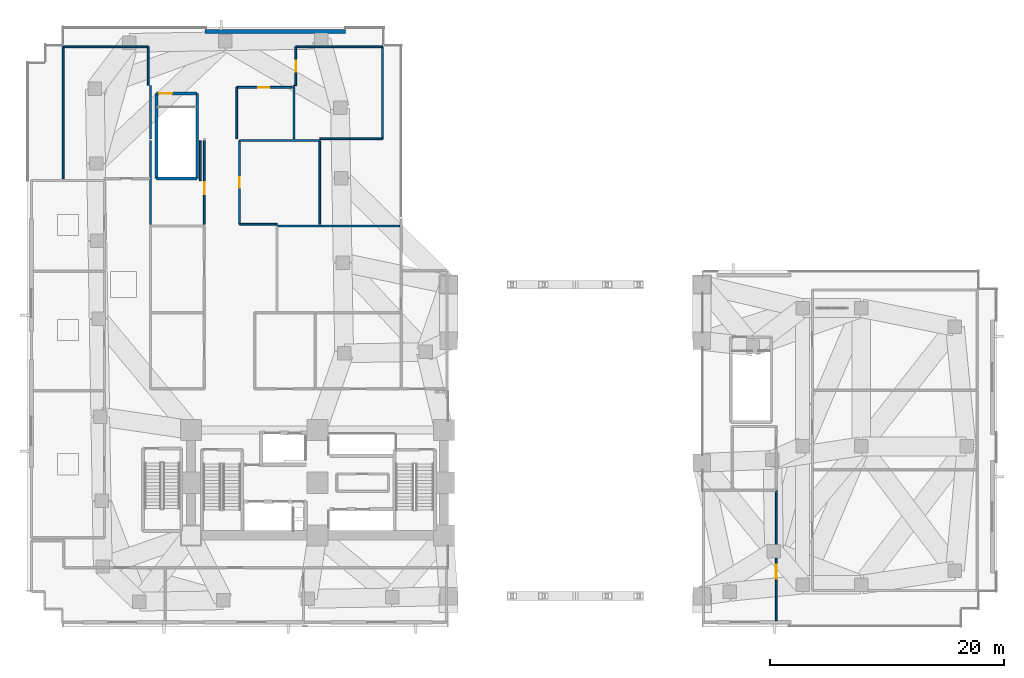
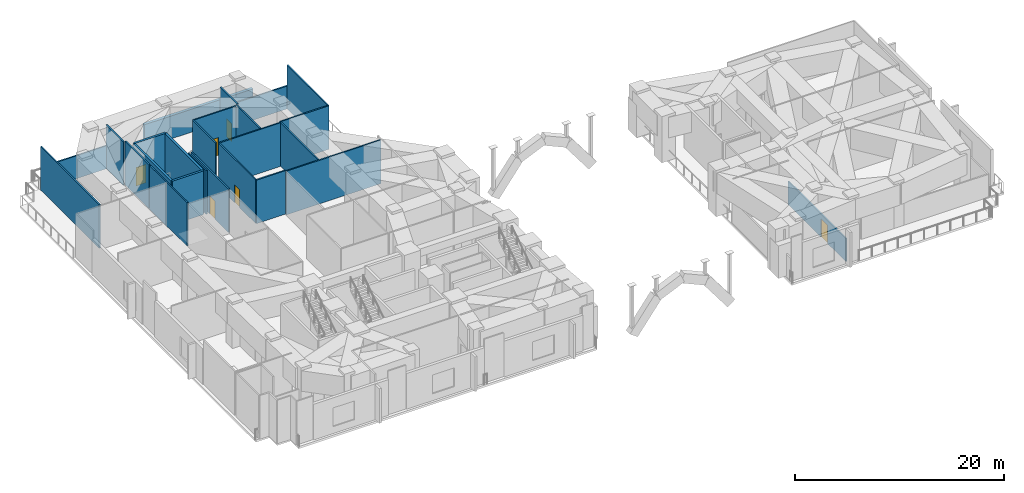
# One storey, part 9 of 15: 25 walls, 6 doors, 6 openings.
"""IFC4 building model written with IfcOpenShell, lengths in metres."""

import ifcopenshell
import ifcopenshell.guid

model = None  # the IFC model being written
_history = None  # IfcOwnerHistory: only IFC2X3 demands one
_inside = {}  # id of a spatial element -> (the spatial element, [elements in it])
_under = {}  # id of a project, library or spatial element -> (it, [spatial elements below it])
_declared = {}  # id of a project -> (the project, [libraries it declares])
_typed = {}  # id of a type object -> (the type object, [elements of that type])
_made_of = {}  # id of a material, layer set ... -> (it, [elements and type objects made of it])


def new_model(schema):
    """Start an empty IFC model of exactly this schema.

    Asked for "IFC4X3", IfcOpenShell would pick the latest addendum, in which some entities
    have other attributes; the version numbers below select the first issue.
    IFC2X3 requires an IfcOwnerHistory on every rooted entity: one is made here for all.
    """
    global model, _history
    if schema == "IFC4X3":
        model = ifcopenshell.file(schema_version=(4, 3, 0, 0))
    else:
        model = ifcopenshell.file(schema=schema)
    _inside.clear()
    _under.clear()
    _declared.clear()
    _typed.clear()
    _made_of.clear()
    _history = None
    if model.schema == "IFC2X3":
        org = make("IfcOrganization", Name="unknown")
        user = make(
            "IfcPersonAndOrganization",
            ThePerson=make("IfcPerson", FamilyName="unknown"),
            TheOrganization=org,
        )
        app = make(
            "IfcApplication",
            ApplicationDeveloper=org,
            Version="unknown",
            ApplicationFullName="unknown",
            ApplicationIdentifier="unknown",
        )
        _history = make(
            "IfcOwnerHistory",
            OwningUser=user,
            OwningApplication=app,
            ChangeAction="ADDED",
            CreationDate=0,
        )
    return model


def make(cls, **values):
    """One entity of the class cls with the attributes given. An attribute that is None is left unset."""
    return model.create_entity(
        cls, **{name: value for name, value in values.items() if value is not None}
    )


def rooted(cls, **values):
    """An entity with a GlobalId (a new one), such as an element, a storey or a relation."""
    return make(cls, GlobalId=ifcopenshell.guid.new(), OwnerHistory=_history, **values)


def si_unit(unit_type, name, prefix=None):
    """IfcSIUnit, for example si_unit("LENGTHUNIT", "METRE", prefix="MILLI")."""
    return make("IfcSIUnit", UnitType=unit_type, Prefix=prefix, Name=name)


def assignment(units):
    """IfcUnitAssignment: the units of a project."""
    return None if units is None else make("IfcUnitAssignment", Units=units)


def point(xyz):
    """IfcCartesianPoint."""
    return None if xyz is None else make("IfcCartesianPoint", Coordinates=xyz)


def direction(xyz):
    """IfcDirection."""
    return None if xyz is None else make("IfcDirection", DirectionRatios=xyz)


def frame(location, z_axis=None, x_axis=None):
    """IfcAxis2Placement3D, a coordinate frame: its origin and axes. An axis left out is left unset."""
    return make(
        "IfcAxis2Placement3D",
        Location=point(location),
        Axis=direction(z_axis),
        RefDirection=direction(x_axis),
    )


def frame_2d(location, x_axis=None):
    """IfcAxis2Placement2D, a coordinate frame in the plane: its origin and x axis."""
    return make(
        "IfcAxis2Placement2D", Location=point(location), RefDirection=direction(x_axis)
    )


def origin():
    """The frame at (0, 0, 0) with its axes left unset."""
    return frame((0.0, 0.0, 0.0))


def place(relative_to, where):
    """IfcLocalPlacement: puts the frame where relative to a parent placement (None: the world)."""
    return make(
        "IfcLocalPlacement", PlacementRelTo=relative_to, RelativePlacement=where
    )


def context(
    kind, dimensions, precision=None, world=None, true_north=None, identifier=None
):
    """IfcGeometricRepresentationContext, for example the 3D "Model" context."""
    return make(
        "IfcGeometricRepresentationContext",
        ContextIdentifier=identifier,
        ContextType=kind,
        CoordinateSpaceDimension=dimensions,
        Precision=precision,
        WorldCoordinateSystem=world,
        TrueNorth=true_north,
    )


def subcontext(parent, identifier, kind, view, scale=None):
    """IfcGeometricRepresentationSubContext, for example "Body" below "Model"."""
    return make(
        "IfcGeometricRepresentationSubContext",
        ContextIdentifier=identifier,
        ContextType=kind,
        ParentContext=parent,
        TargetScale=scale,
        TargetView=view,
    )


def project(units=None, contexts=None):
    """IfcProject with its units and contexts."""
    return rooted(
        "IfcProject",
        Name="project",
        RepresentationContexts=contexts,
        UnitsInContext=assignment(units),
    )


def spatial(cls, under=None, at=None, **own):
    """A site, building, storey or space (cls), placed at a placement, below another one or the project."""
    s = rooted(cls, ObjectPlacement=at, **own)
    if under is not None:
        _under.setdefault(under.id(), (under, []))[1].append(s)
    return s


def profile(cls, at=None, kind="AREA", **sizes):
    """A parametric profile (cls). Its sizes go by their IFC names, for example OverallWidth=200.0."""
    return make(cls, ProfileType=kind, Position=at, **sizes)


def rectangle(**sizes):
    """IfcRectangleProfileDef."""
    return profile("IfcRectangleProfileDef", **sizes)


def extrude(swept, where, along, depth):
    """IfcExtrudedAreaSolid: the profile swept, set in the frame where, extruded along a direction by depth."""
    return make(
        "IfcExtrudedAreaSolid",
        SweptArea=swept,
        Position=where,
        ExtrudedDirection=direction(along),
        Depth=depth,
    )


def shape(context_of_items, identifier, shape_type, items):
    """IfcShapeRepresentation: the items that make up one representation, for example the "Body"."""
    return make(
        "IfcShapeRepresentation",
        ContextOfItems=context_of_items,
        RepresentationIdentifier=identifier,
        RepresentationType=shape_type,
        Items=items,
    )


def material(Name=None, Category=None):
    """IfcMaterial."""
    return make("IfcMaterial", Name=Name, Category=Category)


def layer(
    of_material, thickness, ventilated=None, Name=None, Category=None, Priority=None
):
    """IfcMaterialLayer: one layer of a wall or slab, of a material (None: an air gap)."""
    return make(
        "IfcMaterialLayer",
        Material=of_material,
        LayerThickness=thickness,
        IsVentilated=ventilated,
        Name=Name,
        Category=Category,
        Priority=Priority,
    )


def layer_set(layers, Name=None):
    """IfcMaterialLayerSet."""
    return make("IfcMaterialLayerSet", MaterialLayers=layers, LayerSetName=Name)


def made_of(thing, what):
    """Note that an element or type object is made of a material, layer set ...; save() writes the relation."""
    if what is not None:
        _made_of.setdefault(what.id(), (what, []))[1].append(thing)
    return thing


def type_object(cls, material=None, **own):
    """A type object (cls), such as IfcWallType, which elements share."""
    return made_of(rooted(cls, **own), material)


def element(
    cls,
    number,
    at=None,
    inside=None,
    cuts=None,
    type_object=None,
    material=None,
    context=None,
    identifier="Body",
    shape_type=None,
    held_by="IfcProductDefinitionShape",
    body=None,
    shapes=None,
    **own,
):
    """One element of the class cls, such as IfcWall. Its Tag is "e" and its number.

    at: its placement. inside: the storey or other place that contains it. cuts: it is an
    opening in that element (IfcRelVoidsElement). A single representation is given by context,
    identifier, shape_type and body (its items); several are given by shapes. held_by: the class
    of the entity that holds the representations. save() writes the other relations.
    """
    e = rooted(cls, Tag="e%d" % number, ObjectPlacement=at, **own)
    if body is not None:
        shapes = [shape(context, identifier, shape_type, body)]
    if shapes is not None:
        e.Representation = make(held_by, Representations=shapes)
    if inside is not None:
        _inside.setdefault(inside.id(), (inside, []))[1].append(e)
    if cuts is not None:
        rooted(
            "IfcRelVoidsElement", RelatingBuildingElement=cuts, RelatedOpeningElement=e
        )
    if type_object is not None:
        _typed.setdefault(type_object.id(), (type_object, []))[1].append(e)
    return made_of(e, material)


def fill(opening, filler):
    """IfcRelFillsElement: the door or window that sits in an opening."""
    return rooted(
        "IfcRelFillsElement",
        RelatingOpeningElement=opening,
        RelatedBuildingElement=filler,
    )


def aggregate(whole, parts):
    """IfcRelAggregates: a whole, such as a stair, and the parts it consists of."""
    return rooted("IfcRelAggregates", RelatingObject=whole, RelatedObjects=parts)


def save(model, path):
    """Write the relations noted so far, then the file.

    IfcRelAggregates (storeys below a building ...), IfcRelContainedInSpatialStructure (elements
    in a storey), IfcRelDefinesByType, IfcRelAssociatesMaterial and IfcRelDeclares: one each for
    every whole, place, type object, material and project.
    """
    for whole, parts in _under.values():
        aggregate(whole, parts)
    for where, things in _inside.values():
        rooted(
            "IfcRelContainedInSpatialStructure",
            RelatedElements=things,
            RelatingStructure=where,
        )
    for kind, things in _typed.values():
        rooted("IfcRelDefinesByType", RelatedObjects=things, RelatingType=kind)
    for what, things in _made_of.values():
        rooted("IfcRelAssociatesMaterial", RelatedObjects=things, RelatingMaterial=what)
    for by, libraries in _declared.values():
        rooted("IfcRelDeclares", RelatingContext=by, RelatedDefinitions=libraries)
    model.write(path)


model = new_model("IFC4")

# Units and contexts
model_context = context("Model", 3, precision=1e-05, world=origin(), true_north=direction((0.0, 1.0)))
body_context = subcontext(model_context, "Body", "Model", "MODEL_VIEW")
ifc_project = project(units=[si_unit("LENGTHUNIT", "METRE"), si_unit("AREAUNIT", "SQUARE_METRE"), si_unit("VOLUMEUNIT", "CUBIC_METRE"), si_unit("PLANEANGLEUNIT", "RADIAN"), si_unit("MASSUNIT", "GRAM", prefix="KILO")], contexts=[model_context])

# Site, building, storey
site_placement = place(None, origin())
site = spatial("IfcSite", under=ifc_project, at=site_placement, CompositionType="ELEMENT")
building_placement = place(site_placement, origin())
building = spatial("IfcBuilding", under=site, at=building_placement, Name="Gaonmaruhae Medical Tower", CompositionType="ELEMENT")
storey_placement = place(building_placement, frame((0.0, 0.0, 21.60009765625)))
storey = spatial("IfcBuildingStorey", under=building, at=storey_placement, Name="L04", CompositionType="ELEMENT", Elevation=21.60009765625)

# Wall
ifc_material_1 = material(Name="Precast concrete C45/55", Category="concrete")
ifc_layer_1 = layer(ifc_material_1, 0.320068359375)
ifc_layer_set_1 = layer_set([ifc_layer_1], Name="Precast concrete C45/55")
wall_type_1 = type_object("IfcWallType", Name="EW-320 Lower Precast Masonry-Frame Facade Wall", PredefinedType="SOLIDWALL", material=ifc_layer_set_1)
wall_1_placement = place(storey_placement, frame((15.199951171875, 50.800048828125, 0.0), z_axis=(0.0, 0.0, 1.0), x_axis=(1.0, 0.0, 0.0)))
element("IfcWall", 1, at=wall_1_placement, inside=storey, type_object=wall_type_1, Name="L04 Precast Facade Wall PB-N2", PredefinedType="SOLIDWALL", context=body_context, shape_type="SweptSolid", body=[
    extrude(rectangle(XDim=12.0, YDim=0.320068359375, at=frame_2d((6.0, 0.0))), origin(), (0.0, 0.0, 1.0), 2.684814453125),
])

# Wall, opening, door
ifc_material_2 = material(Name="Gypsum board partition", Category="gypsum")
ifc_layer_2 = layer(ifc_material_2, 0.14990234375)
ifc_layer_set_2 = layer_set([ifc_layer_2], Name="Gypsum board partition")
wall_type_2 = type_object("IfcWallType", Name="PW-150 Rated Clinical Corridor Partition", PredefinedType="PARTITIONING", material=ifc_layer_set_2)
wall_2_placement = place(storey_placement, frame((63.949951171875, 11.64990234375, 0.0), z_axis=(0.0, 0.0, 1.0), x_axis=(0.0, -1.0, 0.0)))
wall_2 = element("IfcWall", 2, at=wall_2_placement, inside=storey, type_object=wall_type_2, Name="L04 Interior Partition L04-EA4-31", PredefinedType="PARTITIONING", context=body_context, shape_type="SweptSolid", body=[
    extrude(rectangle(XDim=11.114990234375, YDim=0.14990234375, at=frame_2d((5.5576171875, 0.0))), origin(), (0.0, 0.0, 1.0), 2.684814453125),
])
opening_1_placement = place(wall_2_placement, frame((6.36083984375, 0.0, 0.0)))
opening_1 = element("IfcOpeningElement", 3, at=opening_1_placement, cuts=wall_2, Name="Opening CD-02", PredefinedType="OPENING", context=body_context, shape_type="SweptSolid", body=[
    extrude(rectangle(XDim=1.199951171875, YDim=2.14990234375, at=frame_2d((0.60009765625, 1.074951171875))), frame((0.0, 0.0849609375, 0.0), z_axis=(0.0, -1.0, 0.0), x_axis=(1.0, 0.0, 0.0)), (0.0, 0.0, 1.0), 0.169921875),
])
ifc_material_3 = material(Name="Antimicrobial laminate timber fire door", Category="wood")
door_type_1 = type_object("IfcDoorType", Name="CD-02 Clinical Treatment & Procedure Door 1200x2150", OperationType="NOTDEFINED", PredefinedType="DOOR", material=ifc_material_3)
door_1_placement = place(opening_1_placement, origin())
door_1 = element("IfcDoor", 4, at=door_1_placement, inside=storey, type_object=door_type_1, Name="L04 L04 Diagnostic Specimen Processing Suite Door", OperationType="SINGLE_SWING_RIGHT", OverallHeight=2.14990234375, OverallWidth=1.199951171875, PredefinedType="DOOR", context=body_context, shape_type="SweptSolid", body=[
    extrude(rectangle(XDim=1.199951171875, YDim=2.14990234375, at=frame_2d((0.60009765625, 1.074951171875))), frame((0.0, 0.02490234375, 0.0), z_axis=(0.0, -1.0, 0.0), x_axis=(1.0, 0.0, 0.0)), (0.0, 0.0, 1.0), 0.050048828125),
])
fill(opening_1, door_1)

# Walls
wall_3_placement = place(storey_placement, frame((21.35009765625, 34.199951171875, 0.0), z_axis=(0.0, 0.0, 1.0), x_axis=(1.0, 0.0, 0.0)))
element("IfcWall", 5, at=wall_3_placement, inside=storey, type_object=wall_type_2, Name="L04 Interior Partition L04-S8-67", PredefinedType="PARTITIONING", context=body_context, shape_type="SweptSolid", body=[
    extrude(rectangle(XDim=10.449951171875, YDim=0.14990234375, at=frame_2d((5.22509765625, 0.0))), origin(), (0.0, 0.0, 1.0), 5.099853515625),
])
wall_4_placement = place(storey_placement, frame((10.550048828125, 34.35009765625, 0.0), z_axis=(0.0, 0.0, 1.0), x_axis=(0.0, 1.0, 0.0)))
element("IfcWall", 6, at=wall_4_placement, inside=storey, type_object=wall_type_2, Name="L04 Interior Partition L04-S9-69", PredefinedType="PARTITIONING", context=body_context, shape_type="SweptSolid", body=[
    extrude(rectangle(XDim=7.14990234375, YDim=0.14990234375, at=frame_2d((3.574951171875, 0.0))), origin(), (0.0, 0.0, 1.0), 5.099853515625),
])
wall_5_placement = place(storey_placement, frame((14.800048828125, 38.050048828125, 0.0), z_axis=(0.0, 0.0, 1.0), x_axis=(0.0, 1.0, 0.0)))
element("IfcWall", 7, at=wall_5_placement, inside=storey, type_object=wall_type_2, Name="L04 Interior Partition L04-S9-70", PredefinedType="PARTITIONING", context=body_context, shape_type="SweptSolid", body=[
    extrude(rectangle(XDim=3.449951171875, YDim=0.14990234375, at=frame_2d((1.72509765625, 0.0))), origin(), (0.0, 0.0, 1.0), 5.099853515625),
])

# Wall, opening, door
wall_6_placement = place(storey_placement, frame((15.139892578125, 41.5, 0.0), z_axis=(0.0, 0.0, 1.0), x_axis=(0.0, -1.0, 0.0)))
wall_6 = element("IfcWall", 8, at=wall_6_placement, inside=storey, type_object=wall_type_2, Name="L04 Interior Partition L04-S9-71", PredefinedType="PARTITIONING", context=body_context, shape_type="SweptSolid", body=[
    extrude(rectangle(XDim=7.14990234375, YDim=0.14990234375, at=frame_2d((3.574951171875, 0.0))), origin(), (0.0, 0.0, 1.0), 5.099853515625),
])
opening_2_placement = place(wall_6_placement, frame((3.578125, 0.0, 0.0)))
opening_2 = element("IfcOpeningElement", 9, at=opening_2_placement, cuts=wall_6, Name="Opening CD-01", PredefinedType="OPENING", context=body_context, shape_type="SweptSolid", body=[
    extrude(rectangle(XDim=1.0, YDim=2.1201171875, at=frame_2d((0.5, 1.06005859375))), frame((0.0, 0.0849609375, 0.0), z_axis=(0.0, -1.0, 0.0), x_axis=(1.0, 0.0, 0.0)), (0.0, 0.0, 1.0), 0.169921875),
])
door_type_2 = type_object("IfcDoorType", Name="CD-01 Consultation & Physician Office Door 1000x2120", OperationType="NOTDEFINED", PredefinedType="DOOR", material=ifc_material_3)
door_2_placement = place(opening_2_placement, origin())
door_2 = element("IfcDoor", 10, at=door_2_placement, inside=storey, type_object=door_type_2, Name="L04 Anaesthesia Consultation Office Door", OperationType="SINGLE_SWING_LEFT", OverallHeight=2.1201171875, OverallWidth=1.0, PredefinedType="DOOR", context=body_context, shape_type="SweptSolid", body=[
    extrude(rectangle(XDim=1.0, YDim=2.1201171875, at=frame_2d((0.5, 1.06005859375))), frame((0.0, 0.02490234375, 0.0), z_axis=(0.0, -1.0, 0.0), x_axis=(1.0, 0.0, 0.0)), (0.0, 0.0, 1.0), 0.050048828125),
])
fill(opening_2, door_2)

# Walls
wall_7_placement = place(storey_placement, frame((18.14990234375, 41.5, 0.0), z_axis=(0.0, 0.0, 1.0), x_axis=(1.0, 0.0, 0.0)))
element("IfcWall", 11, at=wall_7_placement, inside=storey, type_object=wall_type_2, Name="L04 Interior Partition L04-S10-72", PredefinedType="PARTITIONING", context=body_context, shape_type="SweptSolid", body=[
    extrude(rectangle(XDim=6.85009765625, YDim=0.14990234375, at=frame_2d((3.425048828125, 0.0))), origin(), (0.0, 0.0, 1.0), 5.099853515625),
])
wall_8_placement = place(storey_placement, frame((25.0, 41.5, 0.0), z_axis=(0.0, 0.0, 1.0), x_axis=(0.0, -1.0, 0.0)))
element("IfcWall", 12, at=wall_8_placement, inside=storey, type_object=wall_type_2, Name="L04 Interior Partition L04-S10-73", PredefinedType="PARTITIONING", context=body_context, shape_type="SweptSolid", body=[
    extrude(rectangle(XDim=7.14990234375, YDim=0.14990234375, at=frame_2d((3.574951171875, 0.0))), origin(), (0.0, 0.0, 1.0), 5.099853515625),
])
wall_9_placement = place(storey_placement, frame((21.35009765625, 34.35009765625, 0.0), z_axis=(0.0, 0.0, 1.0), x_axis=(-1.0, 0.0, 0.0)))
element("IfcWall", 13, at=wall_9_placement, inside=storey, type_object=wall_type_2, Name="L04 Interior Partition L04-S10-74", PredefinedType="PARTITIONING", context=body_context, shape_type="SweptSolid", body=[
    extrude(rectangle(XDim=3.2001953125, YDim=0.14990234375, at=frame_2d((1.60009765625, 0.0))), origin(), (0.0, 0.0, 1.0), 5.099853515625),
])

# Wall, opening, door
wall_10_placement = place(storey_placement, frame((18.14990234375, 34.35009765625, 0.0), z_axis=(0.0, 0.0, 1.0), x_axis=(0.0, 1.0, 0.0)))
wall_10 = element("IfcWall", 14, at=wall_10_placement, inside=storey, type_object=wall_type_2, Name="L04 Interior Partition L04-S10-75", PredefinedType="PARTITIONING", context=body_context, shape_type="SweptSolid", body=[
    extrude(rectangle(XDim=7.14990234375, YDim=0.14990234375, at=frame_2d((3.574951171875, 0.0))), origin(), (0.0, 0.0, 1.0), 5.099853515625),
])
opening_3_placement = place(wall_10_placement, frame((3.114990234375, 0.0, 0.0)))
opening_3 = element("IfcOpeningElement", 15, at=opening_3_placement, cuts=wall_10, Name="Opening UD-01", PredefinedType="OPENING", context=body_context, shape_type="SweptSolid", body=[
    extrude(rectangle(XDim=0.919921875, YDim=2.10009765625, at=frame_2d((0.4599609375, 1.050048828125))), frame((0.0, 0.0849609375, 0.0), z_axis=(0.0, -1.0, 0.0), x_axis=(1.0, 0.0, 0.0)), (0.0, 0.0, 1.0), 0.169921875),
])
ifc_material_4 = material(Name="Powder-coated steel utility door", Category="steel")
door_type_3 = type_object("IfcDoorType", Name="UD-01 Toilet, Utility & Housekeeping Door 920x2100", OperationType="NOTDEFINED", PredefinedType="DOOR", material=ifc_material_4)
door_3_placement = place(opening_3_placement, origin())
door_3 = element("IfcDoor", 16, at=door_3_placement, inside=storey, type_object=door_type_3, Name="L04 Surgical Staff Changing and Scrub Room Door", OperationType="SINGLE_SWING_RIGHT", OverallHeight=2.10009765625, OverallWidth=0.919921875, PredefinedType="DOOR", context=body_context, shape_type="SweptSolid", body=[
    extrude(rectangle(XDim=0.919921875, YDim=2.10009765625, at=frame_2d((0.4599609375, 1.050048828125))), frame((0.0, 0.02490234375, 0.0), z_axis=(0.0, -1.0, 0.0), x_axis=(1.0, 0.0, 0.0)), (0.0, 0.0, 1.0), 0.050048828125),
])
fill(opening_3, door_3)

# Walls
for number, where, z_axis, x_axis, name in (
    (17, (10.550048828125, 41.64990234375, 0.0), (0.0, 0.0, 1.0), (0.0, 1.0, 0.0), "L04 Interior Partition L04-WC-79"),
    (18, (22.800048828125, 46.199951171875, 0.0), (0.0, 0.0, 1.0), (0.0, -1.0, 0.0), "L04 Interior Partition L04-AWC-80"),
):
    element("IfcWall", number, at=place(storey_placement, frame(where, z_axis=z_axis, x_axis=x_axis)), inside=storey, type_object=wall_type_2, Name=name, PredefinedType="PARTITIONING", context=body_context, shape_type="SweptSolid", body=[
        extrude(rectangle(XDim=4.550048828125, YDim=0.14990234375, at=frame_2d((2.27490234375, 0.0))), origin(), (0.0, 0.0, 1.0), 5.099853515625),
    ])
wall_11_placement = place(storey_placement, frame((17.909912109375, 41.64990234375, 0.0), z_axis=(0.0, 0.0, 1.0), x_axis=(0.0, 1.0, 0.0)))
element("IfcWall", 19, at=wall_11_placement, inside=storey, type_object=wall_type_2, Name="L04 Interior Partition L04-AWC-81", PredefinedType="PARTITIONING", context=body_context, shape_type="SweptSolid", body=[
    extrude(rectangle(XDim=4.39013671875, YDim=0.14990234375, at=frame_2d((2.195068359375, 0.0))), origin(), (0.0, 0.0, 1.0), 5.099853515625),
])

# Wall, opening, door
wall_12_placement = place(storey_placement, frame((17.909912109375, 46.0400390625, 0.0), z_axis=(0.0, 0.0, 1.0), x_axis=(1.0, 0.0, 0.0)))
wall_12 = element("IfcWall", 20, at=wall_12_placement, inside=storey, type_object=wall_type_2, Name="L04 Interior Partition L04-AWC-82", PredefinedType="PARTITIONING", context=body_context, shape_type="SweptSolid", body=[
    extrude(rectangle(XDim=4.72998046875, YDim=0.14990234375, at=frame_2d((2.364990234375, 0.0))), origin(), (0.0, 0.0, 1.0), 5.099853515625),
])
opening_4_placement = place(wall_12_placement, frame((1.8349609375, 0.0, 0.0)))
opening_4 = element("IfcOpeningElement", 21, at=opening_4_placement, cuts=wall_12, Name="Opening UD-01", PredefinedType="OPENING", context=body_context, shape_type="SweptSolid", body=[
    extrude(rectangle(XDim=0.919921875, YDim=2.10009765625, at=frame_2d((0.4599609375, 1.050048828125))), frame((0.0, 0.0849609375, 0.0), z_axis=(0.0, -1.0, 0.0), x_axis=(1.0, 0.0, 0.0)), (0.0, 0.0, 1.0), 0.169921875),
])
door_4_placement = place(opening_4_placement, origin())
door_4 = element("IfcDoor", 22, at=door_4_placement, inside=storey, type_object=door_type_3, Name="L04 L04 Accessible Staff Toilet Door", OperationType="SINGLE_SWING_LEFT", OverallHeight=2.10009765625, OverallWidth=0.919921875, PredefinedType="DOOR", context=body_context, shape_type="SweptSolid", body=[
    extrude(rectangle(XDim=0.919921875, YDim=2.10009765625, at=frame_2d((0.4599609375, 1.050048828125))), frame((0.0, 0.02490234375, 0.0), z_axis=(0.0, -1.0, 0.0), x_axis=(1.0, 0.0, 0.0)), (0.0, 0.0, 1.0), 0.050048828125),
])
fill(opening_4, door_4)

# Walls
wall_13_placement = place(storey_placement, frame((22.949951171875, 49.5, 0.0), z_axis=(0.0, 0.0, 1.0), x_axis=(1.0, 0.0, 0.0)))
element("IfcWall", 23, at=wall_13_placement, inside=storey, type_object=wall_type_2, Name="L04 Interior Partition L04-HSK-83", PredefinedType="PARTITIONING", context=body_context, shape_type="SweptSolid", body=[
    extrude(rectangle(XDim=7.400146484375, YDim=0.14990234375, at=frame_2d((3.7001953125, 0.0))), origin(), (0.0, 0.0, 1.0), 2.684814453125),
])
wall_14_placement = place(storey_placement, frame((30.35009765625, 49.5, 0.0), z_axis=(0.0, 0.0, 1.0), x_axis=(0.0, -1.0, 0.0)))
element("IfcWall", 24, at=wall_14_placement, inside=storey, type_object=wall_type_2, Name="L04 Interior Partition L04-HSK-84", PredefinedType="PARTITIONING", context=body_context, shape_type="SweptSolid", body=[
    extrude(rectangle(XDim=7.85009765625, YDim=0.14990234375, at=frame_2d((3.925048828125, 0.0))), origin(), (0.0, 0.0, 1.0), 5.099853515625),
])
wall_15_placement = place(storey_placement, frame((30.35009765625, 41.64990234375, 0.0), z_axis=(0.0, 0.0, 1.0), x_axis=(-1.0, 0.0, 0.0)))
element("IfcWall", 25, at=wall_15_placement, inside=storey, type_object=wall_type_2, Name="L04 Interior Partition L04-HSK-85", PredefinedType="PARTITIONING", context=body_context, shape_type="SweptSolid", body=[
    extrude(rectangle(XDim=5.35009765625, YDim=0.14990234375, at=frame_2d((2.675048828125, 0.0))), origin(), (0.0, 0.0, 1.0), 5.099853515625),
])

# Wall, opening, door
wall_16_placement = place(storey_placement, frame((22.949951171875, 46.199951171875, 0.0), z_axis=(0.0, 0.0, 1.0), x_axis=(0.0, 1.0, 0.0)))
wall_16 = element("IfcWall", 26, at=wall_16_placement, inside=storey, type_object=wall_type_2, Name="L04 Interior Partition L04-HSK-86", PredefinedType="PARTITIONING", context=body_context, shape_type="SweptSolid", body=[
    extrude(rectangle(XDim=3.300048828125, YDim=0.14990234375, at=frame_2d((1.64990234375, 0.0))), origin(), (0.0, 0.0, 1.0), 5.099853515625),
])
opening_5_placement = place(wall_16_placement, frame((1.18994140625, 0.0, 0.0)))
opening_5 = element("IfcOpeningElement", 27, at=opening_5_placement, cuts=wall_16, Name="Opening UD-01", PredefinedType="OPENING", context=body_context, shape_type="SweptSolid", body=[
    extrude(rectangle(XDim=0.919921875, YDim=2.10009765625, at=frame_2d((0.4599609375, 1.050048828125))), frame((0.0, 0.0849609375, 0.0), z_axis=(0.0, -1.0, 0.0), x_axis=(1.0, 0.0, 0.0)), (0.0, 0.0, 1.0), 0.169921875),
])
door_5_placement = place(opening_5_placement, origin())
door_5 = element("IfcDoor", 28, at=door_5_placement, inside=storey, type_object=door_type_3, Name="L04 L04 Surgical Housekeeping Store Door", OperationType="SINGLE_SWING_RIGHT", OverallHeight=2.10009765625, OverallWidth=0.919921875, PredefinedType="DOOR", context=body_context, shape_type="SweptSolid", body=[
    extrude(rectangle(XDim=0.919921875, YDim=2.10009765625, at=frame_2d((0.4599609375, 1.050048828125))), frame((0.0, 0.02490234375, 0.0), z_axis=(0.0, -1.0, 0.0), x_axis=(1.0, 0.0, 0.0)), (0.0, 0.0, 1.0), 0.050048828125),
])
fill(opening_5, door_5)

# Walls
wall_17_placement = place(storey_placement, frame((3.10009765625, 38.25, 0.0), z_axis=(0.0, 0.0, 1.0), x_axis=(0.0, 1.0, 0.0)))
element("IfcWall", 29, at=wall_17_placement, inside=storey, type_object=wall_type_2, Name="L04 Interior Partition L04-PNT-88", PredefinedType="PARTITIONING", context=body_context, shape_type="SweptSolid", body=[
    extrude(rectangle(XDim=11.25, YDim=0.14990234375, at=frame_2d((5.625, 0.0))), origin(), (0.0, 0.0, 1.0), 5.099853515625),
])
wall_18_placement = place(storey_placement, frame((3.10009765625, 49.5, 0.0), z_axis=(0.0, 0.0, 1.0), x_axis=(1.0, 0.0, 0.0)))
element("IfcWall", 30, at=wall_18_placement, inside=storey, type_object=wall_type_2, Name="L04 Interior Partition L04-PNT-89", PredefinedType="PARTITIONING", context=body_context, shape_type="SweptSolid", body=[
    extrude(rectangle(XDim=7.25, YDim=0.14990234375, at=frame_2d((3.625, 0.0))), origin(), (0.0, 0.0, 1.0), 2.684814453125),
])
wall_19_placement = place(storey_placement, frame((10.35009765625, 49.5, 0.0), z_axis=(0.0, 0.0, 1.0), x_axis=(0.0, -1.0, 0.0)))
element("IfcWall", 31, at=wall_19_placement, inside=storey, type_object=wall_type_2, Name="L04 Interior Partition L04-PNT-90", PredefinedType="PARTITIONING", context=body_context, shape_type="SweptSolid", body=[
    extrude(rectangle(XDim=3.300048828125, YDim=0.14990234375, at=frame_2d((1.64990234375, 0.0))), origin(), (0.0, 0.0, 1.0), 5.099853515625),
])

# Wall, opening, door
ifc_material_5 = material(Name="Concrete C50/60", Category="concrete")
ifc_layer_3 = layer(ifc_material_5, 0.239990234375)
ifc_layer_set_3 = layer_set([ifc_layer_3], Name="Concrete C50/60")
wall_type_3 = type_object("IfcWallType", Name="SW-240 Dogleg Stair Tight Shaft Wall", PredefinedType="SOLIDWALL", material=ifc_layer_set_3)
wall_20_placement = place(storey_placement, frame((11.070068359375, 45.52001953125, 0.0), z_axis=(0.0, 0.0, 1.0), x_axis=(1.0, 0.0, 0.0)))
wall_20 = element("IfcWall", 32, at=wall_20_placement, inside=storey, type_object=wall_type_3, Name="L04 ST-05 Stair Shaft Wall SHW-ST-05-N", PredefinedType="SOLIDWALL", context=body_context, shape_type="SweptSolid", body=[
    extrude(rectangle(XDim=3.4599609375, YDim=0.239990234375, at=frame_2d((1.72998046875, 0.0))), origin(), (0.0, 0.0, 1.0), 5.099853515625),
])
opening_6_placement = place(wall_20_placement, frame((0.219970703125, 0.0, 0.0)))
opening_6 = element("IfcOpeningElement", 33, at=opening_6_placement, cuts=wall_20, Name="Opening FD-01", PredefinedType="OPENING", context=body_context, shape_type="SweptSolid", body=[
    extrude(rectangle(XDim=1.10009765625, YDim=2.14990234375, at=frame_2d((0.550048828125, 1.074951171875))), frame((0.0, 0.1298828125, 0.0), z_axis=(0.0, -1.0, 0.0), x_axis=(1.0, 0.0, 0.0)), (0.0, 0.0, 1.0), 0.260009765625),
])
ifc_material_6 = material(Name="Powder-coated steel fire door", Category="steel")
door_type_4 = type_object("IfcDoorType", Name="FD-01 Escape Stair Protected Fire Door 1100x2150", OperationType="NOTDEFINED", PredefinedType="DOOR", material=ifc_material_6)
door_6_placement = place(opening_6_placement, origin())
door_6 = element("IfcDoor", 34, at=door_6_placement, inside=storey, type_object=door_type_4, Name="L04 ST-05 Protected Escape Stair Door", OperationType="SINGLE_SWING_LEFT", OverallHeight=2.14990234375, OverallWidth=1.10009765625, PredefinedType="DOOR", context=body_context, shape_type="SweptSolid", body=[
    extrude(rectangle(XDim=1.10009765625, YDim=2.14990234375, at=frame_2d((0.550048828125, 1.074951171875))), frame((0.0, 0.02490234375, 0.0), z_axis=(0.0, -1.0, 0.0), x_axis=(1.0, 0.0, 0.0)), (0.0, 0.0, 1.0), 0.050048828125),
])
fill(opening_6, door_6)

# Walls
wall_21_placement = place(storey_placement, frame((14.530029296875, 45.52001953125, 0.0), z_axis=(0.0, 0.0, 1.0), x_axis=(0.0, -1.0, 0.0)))
element("IfcWall", 35, at=wall_21_placement, inside=storey, type_object=wall_type_3, Name="L04 ST-05 Stair Shaft Wall SHW-ST-05-E", PredefinedType="SOLIDWALL", context=body_context, shape_type="SweptSolid", body=[
    extrude(rectangle(XDim=7.25, YDim=0.239990234375, at=frame_2d((3.625, 0.0))), origin(), (0.0, 0.0, 1.0), 5.099853515625),
])
wall_22_placement = place(storey_placement, frame((14.530029296875, 38.27001953125, 0.0), z_axis=(0.0, 0.0, 1.0), x_axis=(-1.0, 0.0, 0.0)))
element("IfcWall", 36, at=wall_22_placement, inside=storey, type_object=wall_type_3, Name="L04 ST-05 Stair Shaft Wall SHW-ST-05-S", PredefinedType="SOLIDWALL", context=body_context, shape_type="SweptSolid", body=[
    extrude(rectangle(XDim=3.4599609375, YDim=0.239990234375, at=frame_2d((1.72998046875, 0.0))), origin(), (0.0, 0.0, 1.0), 5.099853515625),
])
wall_23_placement = place(storey_placement, frame((11.070068359375, 38.27001953125, 0.0), z_axis=(0.0, 0.0, 1.0), x_axis=(0.0, 1.0, 0.0)))
element("IfcWall", 37, at=wall_23_placement, inside=storey, type_object=wall_type_3, Name="L04 ST-05 Stair Shaft Wall SHW-ST-05-W", PredefinedType="SOLIDWALL", context=body_context, shape_type="SweptSolid", body=[
    extrude(rectangle(XDim=7.25, YDim=0.239990234375, at=frame_2d((3.625, 0.0))), origin(), (0.0, 0.0, 1.0), 5.099853515625),
])

save(model, "model.ifc")
